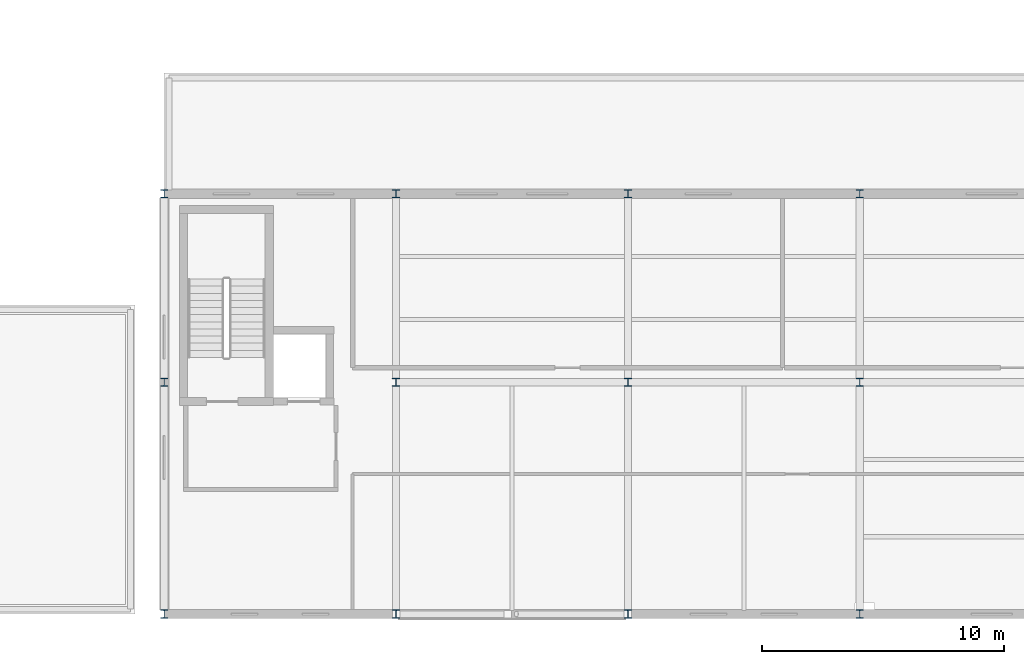
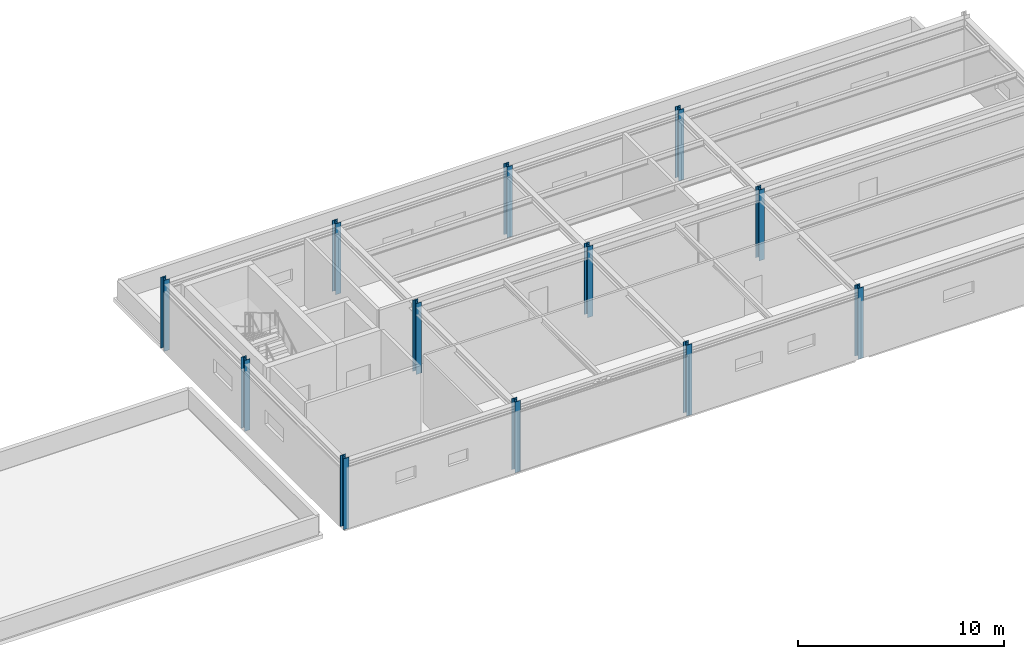
# One storey, part 12 of 88: 12 columns.
"""IFC4 building model written with IfcOpenShell, lengths in metres."""

from ifc_helpers import new_model, si_unit, direction, frame, origin, origin_2d, place, context, subcontext, project, spatial, i_section, extrude, material, material_profile, profile_set, type_object, element, save


model = new_model("IFC4")

# Units and contexts
model_context = context("Model", 3, precision=1e-05, world=origin(), true_north=direction((0.0, 1.0)))
body_context = subcontext(model_context, "Body", "Model", "MODEL_VIEW")
ifc_project = project(units=[si_unit("LENGTHUNIT", "METRE"), si_unit("AREAUNIT", "SQUARE_METRE"), si_unit("VOLUMEUNIT", "CUBIC_METRE"), si_unit("PLANEANGLEUNIT", "RADIAN"), si_unit("MASSUNIT", "GRAM", prefix="KILO")], contexts=[model_context])

# Site, building, storey
site_placement = place(None, origin())
site = spatial("IfcSite", under=ifc_project, at=site_placement, CompositionType="ELEMENT")
building_placement = place(site_placement, origin())
building = spatial("IfcBuilding", under=site, at=building_placement, Name="Nordkorset Police Headquarters", CompositionType="ELEMENT")
storey_placement = place(building_placement, frame((0.0, 0.0, 9.449951171875)))
storey = spatial("IfcBuildingStorey", under=building, at=storey_placement, Name="L02", CompositionType="ELEMENT", Elevation=9.449951171875)

# Columns
ifc_material = material(Name="Steel S355J2", Category="steel")
ifc_material_profile = material_profile(ifc_material, i_section(OverallWidth=0.300048828125, OverallDepth=0.340087890625, WebThickness=0.011962890625, FlangeThickness=0.021484375, FilletRadius=0.027099609375, at=origin_2d()), Name="HEB 340")
ifc_profile_set = profile_set([ifc_material_profile], Name="Steel S355J2")
column_type = type_object("IfcColumnType", Name="Col_HEB_340", PredefinedType="COLUMN", material=ifc_profile_set)
for number, where, z_axis, x_axis, name in (
    (1, (126.39990234375, 0.0, 0.0), (0.0, 0.0, 1.0), (1.0, 0.0, 0.0), "Structural Column V6_Y0_0 L02"),
    (2, (126.39990234375, 9.60009765625, 0.0), (0.0, 0.0, 1.0), (1.0, 0.0, 0.0), "Structural Column V6_Y1_0 L02"),
    (3, (126.39990234375, 17.39990234375, 0.0), (0.0, 0.0, 1.0), (1.0, 0.0, 0.0), "Structural Column V6_Y2_0 L02"),
    (4, (136.0, 0.0, 0.0), (0.0, 0.0, 1.0), (1.0, 0.0, 0.0), "Structural Column V6_Y0_1 L02"),
    (5, (136.0, 9.60009765625, 0.0), (0.0, 0.0, 1.0), (1.0, 0.0, 0.0), "Structural Column V6_Y1_1 L02"),
    (6, (136.0, 17.39990234375, 0.0), (0.0, 0.0, 1.0), (1.0, 0.0, 0.0), "Structural Column V6_Y2_1 L02"),
    (7, (145.60009765625, 0.0, 0.0), (0.0, 0.0, 1.0), (1.0, 0.0, 0.0), "Structural Column V6_Y0_2 L02"),
    (8, (145.60009765625, 9.60009765625, 0.0), (0.0, 0.0, 1.0), (1.0, 0.0, 0.0), "Structural Column V6_Y1_2 L02"),
    (9, (145.60009765625, 17.39990234375, 0.0), (0.0, 0.0, 1.0), (1.0, 0.0, 0.0), "Structural Column V6_Y2_2 L02"),
    (10, (155.199951171875, 0.0, 0.0), (0.0, 0.0, 1.0), (1.0, 0.0, 0.0), "Structural Column V6_Y0_3 L02"),
    (11, (155.199951171875, 9.60009765625, 0.0), (0.0, 0.0, 1.0), (1.0, 0.0, 0.0), "Structural Column V6_Y1_3 L02"),
    (12, (155.199951171875, 17.39990234375, 0.0), (0.0, 0.0, 1.0), (1.0, 0.0, 0.0), "Structural Column V6_Y2_3 L02"),
):
    element("IfcColumn", number, at=place(storey_placement, frame(where, z_axis=z_axis, x_axis=x_axis)), inside=storey, type_object=column_type, Name=name, PredefinedType="COLUMN", context=body_context, shape_type="SweptSolid", body=[
        extrude(i_section(OverallWidth=0.300048828125, OverallDepth=0.340087890625, WebThickness=0.011962890625, FlangeThickness=0.021484375, FilletRadius=0.027099609375, at=origin_2d()), origin(), (0.0, 0.0, 1.0), 4.199951171875),
    ])

save(model, "model.ifc")
